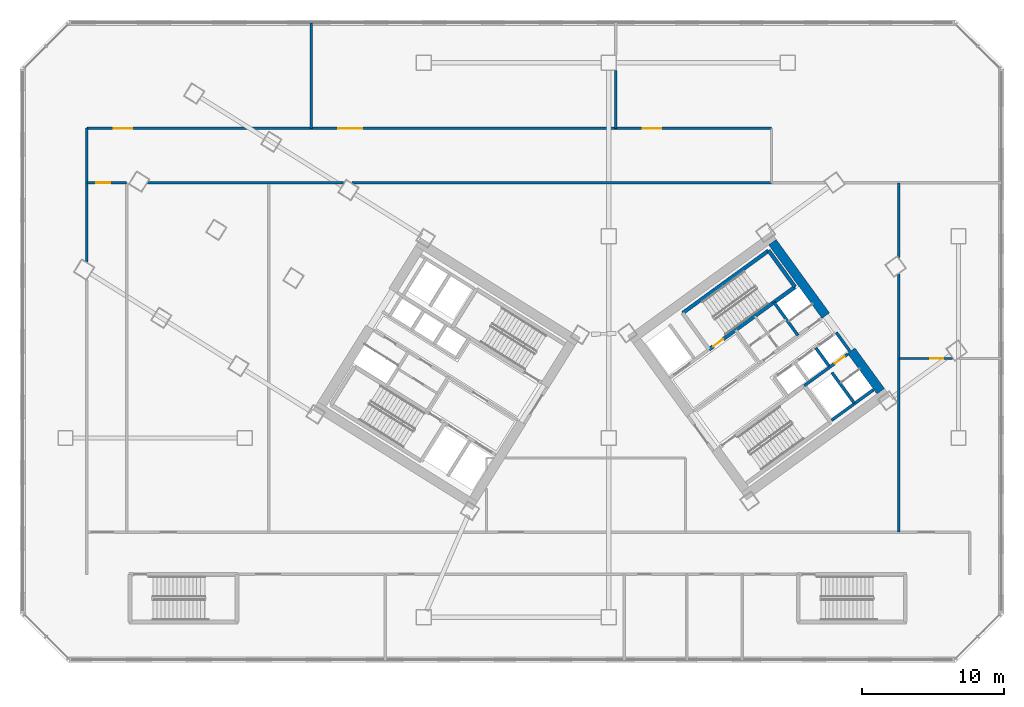
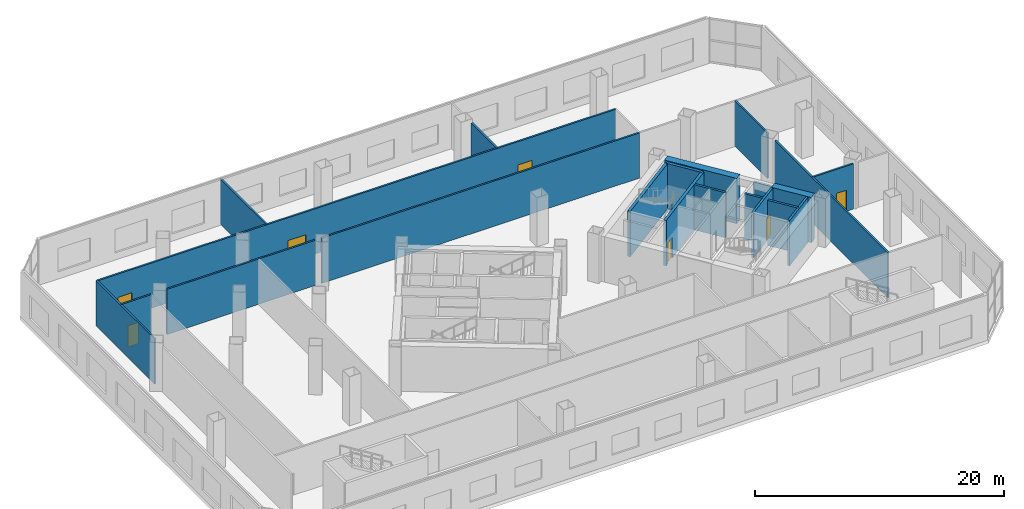
# One storey, part 13 of 22: 21 walls, 7 doors, 7 openings.
"""IFC4 building model written with IfcOpenShell, lengths in metres."""

import ifcopenshell
import ifcopenshell.guid

model = None  # the IFC model being written
_history = None  # IfcOwnerHistory: only IFC2X3 demands one
_inside = {}  # id of a spatial element -> (the spatial element, [elements in it])
_under = {}  # id of a project, library or spatial element -> (it, [spatial elements below it])
_declared = {}  # id of a project -> (the project, [libraries it declares])
_typed = {}  # id of a type object -> (the type object, [elements of that type])
_made_of = {}  # id of a material, layer set ... -> (it, [elements and type objects made of it])


def new_model(schema):
    """Start an empty IFC model of exactly this schema.

    Asked for "IFC4X3", IfcOpenShell would pick the latest addendum, in which some entities
    have other attributes; the version numbers below select the first issue.
    IFC2X3 requires an IfcOwnerHistory on every rooted entity: one is made here for all.
    """
    global model, _history
    if schema == "IFC4X3":
        model = ifcopenshell.file(schema_version=(4, 3, 0, 0))
    else:
        model = ifcopenshell.file(schema=schema)
    _inside.clear()
    _under.clear()
    _declared.clear()
    _typed.clear()
    _made_of.clear()
    _history = None
    if model.schema == "IFC2X3":
        org = make("IfcOrganization", Name="unknown")
        user = make(
            "IfcPersonAndOrganization",
            ThePerson=make("IfcPerson", FamilyName="unknown"),
            TheOrganization=org,
        )
        app = make(
            "IfcApplication",
            ApplicationDeveloper=org,
            Version="unknown",
            ApplicationFullName="unknown",
            ApplicationIdentifier="unknown",
        )
        _history = make(
            "IfcOwnerHistory",
            OwningUser=user,
            OwningApplication=app,
            ChangeAction="ADDED",
            CreationDate=0,
        )
    return model


def make(cls, **values):
    """One entity of the class cls with the attributes given. An attribute that is None is left unset."""
    return model.create_entity(
        cls, **{name: value for name, value in values.items() if value is not None}
    )


def rooted(cls, **values):
    """An entity with a GlobalId (a new one), such as an element, a storey or a relation."""
    return make(cls, GlobalId=ifcopenshell.guid.new(), OwnerHistory=_history, **values)


def si_unit(unit_type, name, prefix=None):
    """IfcSIUnit, for example si_unit("LENGTHUNIT", "METRE", prefix="MILLI")."""
    return make("IfcSIUnit", UnitType=unit_type, Prefix=prefix, Name=name)


def assignment(units):
    """IfcUnitAssignment: the units of a project."""
    return None if units is None else make("IfcUnitAssignment", Units=units)


def point(xyz):
    """IfcCartesianPoint."""
    return None if xyz is None else make("IfcCartesianPoint", Coordinates=xyz)


def direction(xyz):
    """IfcDirection."""
    return None if xyz is None else make("IfcDirection", DirectionRatios=xyz)


def frame(location, z_axis=None, x_axis=None):
    """IfcAxis2Placement3D, a coordinate frame: its origin and axes. An axis left out is left unset."""
    return make(
        "IfcAxis2Placement3D",
        Location=point(location),
        Axis=direction(z_axis),
        RefDirection=direction(x_axis),
    )


def frame_2d(location, x_axis=None):
    """IfcAxis2Placement2D, a coordinate frame in the plane: its origin and x axis."""
    return make(
        "IfcAxis2Placement2D", Location=point(location), RefDirection=direction(x_axis)
    )


def origin():
    """The frame at (0, 0, 0) with its axes left unset."""
    return frame((0.0, 0.0, 0.0))


def place(relative_to, where):
    """IfcLocalPlacement: puts the frame where relative to a parent placement (None: the world)."""
    return make(
        "IfcLocalPlacement", PlacementRelTo=relative_to, RelativePlacement=where
    )


def context(
    kind, dimensions, precision=None, world=None, true_north=None, identifier=None
):
    """IfcGeometricRepresentationContext, for example the 3D "Model" context."""
    return make(
        "IfcGeometricRepresentationContext",
        ContextIdentifier=identifier,
        ContextType=kind,
        CoordinateSpaceDimension=dimensions,
        Precision=precision,
        WorldCoordinateSystem=world,
        TrueNorth=true_north,
    )


def subcontext(parent, identifier, kind, view, scale=None):
    """IfcGeometricRepresentationSubContext, for example "Body" below "Model"."""
    return make(
        "IfcGeometricRepresentationSubContext",
        ContextIdentifier=identifier,
        ContextType=kind,
        ParentContext=parent,
        TargetScale=scale,
        TargetView=view,
    )


def project(units=None, contexts=None):
    """IfcProject with its units and contexts."""
    return rooted(
        "IfcProject",
        Name="project",
        RepresentationContexts=contexts,
        UnitsInContext=assignment(units),
    )


def spatial(cls, under=None, at=None, **own):
    """A site, building, storey or space (cls), placed at a placement, below another one or the project."""
    s = rooted(cls, ObjectPlacement=at, **own)
    if under is not None:
        _under.setdefault(under.id(), (under, []))[1].append(s)
    return s


def profile(cls, at=None, kind="AREA", **sizes):
    """A parametric profile (cls). Its sizes go by their IFC names, for example OverallWidth=200.0."""
    return make(cls, ProfileType=kind, Position=at, **sizes)


def rectangle(**sizes):
    """IfcRectangleProfileDef."""
    return profile("IfcRectangleProfileDef", **sizes)


def extrude(swept, where, along, depth):
    """IfcExtrudedAreaSolid: the profile swept, set in the frame where, extruded along a direction by depth."""
    return make(
        "IfcExtrudedAreaSolid",
        SweptArea=swept,
        Position=where,
        ExtrudedDirection=direction(along),
        Depth=depth,
    )


def shape(context_of_items, identifier, shape_type, items):
    """IfcShapeRepresentation: the items that make up one representation, for example the "Body"."""
    return make(
        "IfcShapeRepresentation",
        ContextOfItems=context_of_items,
        RepresentationIdentifier=identifier,
        RepresentationType=shape_type,
        Items=items,
    )


def source(mapping_origin, context_of_items, identifier, shape_type, items):
    """IfcRepresentationMap: a shape defined once, which mapped items show again and again."""
    return make(
        "IfcRepresentationMap",
        MappingOrigin=mapping_origin,
        MappedRepresentation=shape(context_of_items, identifier, shape_type, items),
    )


def transform(
    local_origin,
    x_axis=None,
    y_axis=None,
    z_axis=None,
    scale=None,
    scale2=None,
    scale3=None,
    uniform=True,
):
    """IfcCartesianTransformationOperator3D, or its non-uniform kind. x_axis, y_axis, z_axis: its Axis1, 2, 3."""
    if uniform:
        return make(
            "IfcCartesianTransformationOperator3D",
            Axis1=direction(x_axis),
            Axis2=direction(y_axis),
            LocalOrigin=point(local_origin),
            Scale=scale,
            Axis3=direction(z_axis),
        )
    return make(
        "IfcCartesianTransformationOperator3DnonUniform",
        Axis1=direction(x_axis),
        Axis2=direction(y_axis),
        LocalOrigin=point(local_origin),
        Scale=scale,
        Axis3=direction(z_axis),
        Scale2=scale2,
        Scale3=scale3,
    )


def mapped(mapping_source, mapping_target):
    """IfcMappedItem: shows the shape of a source again, moved by a transform."""
    return make(
        "IfcMappedItem", MappingSource=mapping_source, MappingTarget=mapping_target
    )


def material(Name=None, Category=None):
    """IfcMaterial."""
    return make("IfcMaterial", Name=Name, Category=Category)


def layer(
    of_material, thickness, ventilated=None, Name=None, Category=None, Priority=None
):
    """IfcMaterialLayer: one layer of a wall or slab, of a material (None: an air gap)."""
    return make(
        "IfcMaterialLayer",
        Material=of_material,
        LayerThickness=thickness,
        IsVentilated=ventilated,
        Name=Name,
        Category=Category,
        Priority=Priority,
    )


def layer_set(layers, Name=None):
    """IfcMaterialLayerSet."""
    return make("IfcMaterialLayerSet", MaterialLayers=layers, LayerSetName=Name)


def made_of(thing, what):
    """Note that an element or type object is made of a material, layer set ...; save() writes the relation."""
    if what is not None:
        _made_of.setdefault(what.id(), (what, []))[1].append(thing)
    return thing


def type_object(cls, material=None, **own):
    """A type object (cls), such as IfcWallType, which elements share."""
    return made_of(rooted(cls, **own), material)


def element(
    cls,
    number,
    at=None,
    inside=None,
    cuts=None,
    type_object=None,
    material=None,
    context=None,
    identifier="Body",
    shape_type=None,
    held_by="IfcProductDefinitionShape",
    body=None,
    shapes=None,
    **own,
):
    """One element of the class cls, such as IfcWall. Its Tag is "e" and its number.

    at: its placement. inside: the storey or other place that contains it. cuts: it is an
    opening in that element (IfcRelVoidsElement). A single representation is given by context,
    identifier, shape_type and body (its items); several are given by shapes. held_by: the class
    of the entity that holds the representations. save() writes the other relations.
    """
    e = rooted(cls, Tag="e%d" % number, ObjectPlacement=at, **own)
    if body is not None:
        shapes = [shape(context, identifier, shape_type, body)]
    if shapes is not None:
        e.Representation = make(held_by, Representations=shapes)
    if inside is not None:
        _inside.setdefault(inside.id(), (inside, []))[1].append(e)
    if cuts is not None:
        rooted(
            "IfcRelVoidsElement", RelatingBuildingElement=cuts, RelatedOpeningElement=e
        )
    if type_object is not None:
        _typed.setdefault(type_object.id(), (type_object, []))[1].append(e)
    return made_of(e, material)


def fill(opening, filler):
    """IfcRelFillsElement: the door or window that sits in an opening."""
    return rooted(
        "IfcRelFillsElement",
        RelatingOpeningElement=opening,
        RelatedBuildingElement=filler,
    )


def aggregate(whole, parts):
    """IfcRelAggregates: a whole, such as a stair, and the parts it consists of."""
    return rooted("IfcRelAggregates", RelatingObject=whole, RelatedObjects=parts)


def save(model, path):
    """Write the relations noted so far, then the file.

    IfcRelAggregates (storeys below a building ...), IfcRelContainedInSpatialStructure (elements
    in a storey), IfcRelDefinesByType, IfcRelAssociatesMaterial and IfcRelDeclares: one each for
    every whole, place, type object, material and project.
    """
    for whole, parts in _under.values():
        aggregate(whole, parts)
    for where, things in _inside.values():
        rooted(
            "IfcRelContainedInSpatialStructure",
            RelatedElements=things,
            RelatingStructure=where,
        )
    for kind, things in _typed.values():
        rooted("IfcRelDefinesByType", RelatedObjects=things, RelatingType=kind)
    for what, things in _made_of.values():
        rooted("IfcRelAssociatesMaterial", RelatedObjects=things, RelatingMaterial=what)
    for by, libraries in _declared.values():
        rooted("IfcRelDeclares", RelatingContext=by, RelatedDefinitions=libraries)
    model.write(path)


model = new_model("IFC4")

# Units and contexts
model_context = context("Model", 3, precision=1e-05, world=origin(), true_north=direction((0.0, 1.0)))
body_context = subcontext(model_context, "Body", "Model", "MODEL_VIEW")
ifc_project = project(units=[si_unit("LENGTHUNIT", "METRE"), si_unit("AREAUNIT", "SQUARE_METRE"), si_unit("VOLUMEUNIT", "CUBIC_METRE"), si_unit("PLANEANGLEUNIT", "RADIAN"), si_unit("MASSUNIT", "GRAM", prefix="KILO")], contexts=[model_context])

# Site, building, storey
site_placement = place(None, origin())
site = spatial("IfcSite", under=ifc_project, at=site_placement, CompositionType="ELEMENT")
building_placement = place(site_placement, origin())
building = spatial("IfcBuilding", under=site, at=building_placement, Name="Tlacorven Tower", CompositionType="ELEMENT")
storey_placement = place(building_placement, frame((0.0, 0.0, 5.39990234375)))
storey = spatial("IfcBuildingStorey", under=building, at=storey_placement, Name="L01", CompositionType="ELEMENT", Elevation=5.39990234375)

# Walls
ifc_material_1 = material(Name="Concrete C60/75", Category="concrete")
ifc_layer_1 = layer(ifc_material_1, 0.64990234375)
ifc_layer_set_1 = layer_set([ifc_layer_1], Name="Concrete C60/75")
wall_type_1 = type_object("IfcWallType", Name="WL-COR-650", PredefinedType="SHEAR", material=ifc_layer_set_1)
wall_1_placement = place(storey_placement, frame((61.9287109375, 20.494384765625, 0.0), z_axis=(0.0, 0.0, 1.0), x_axis=(-0.58782982593, 0.808984607855, 0.0)))
element("IfcWall", 1, at=wall_1_placement, inside=storey, type_object=wall_type_1, Name="L01 E core end wall E2.1", PredefinedType="SHEAR", context=body_context, shape_type="SweptSolid", body=[
    extrude(rectangle(XDim=3.52490234375, YDim=0.64990234375, at=frame_2d((1.762451171875, 0.0))), origin(), (0.0, 0.0, 1.0), 4.4501953125),
])
wall_2_placement = place(storey_placement, frame((58.06396484375, 25.8134765625, 0.0), z_axis=(0.0, 0.0, 1.0), x_axis=(-0.58777996584, 0.809020835181, 0.0)))
element("IfcWall", 2, at=wall_2_placement, inside=storey, type_object=wall_type_1, Name="L01 E core end wall E2.2", PredefinedType="SHEAR", context=body_context, shape_type="SweptSolid", body=[
    extrude(rectangle(XDim=6.375, YDim=0.64990234375, at=frame_2d((3.1875, 0.0))), origin(), (0.0, 0.0, 1.0), 4.4501953125),
])
ifc_material_2 = material(Name="Gypsum plasterboard acoustic partition", Category="gypsum")
ifc_layer_2 = layer(ifc_material_2, 0.159912109375)
ifc_layer_set_2 = layer_set([ifc_layer_2], Name="Gypsum plasterboard acoustic partition")
wall_type_2 = type_object("IfcWallType", Name="WL-DEM-160", PredefinedType="PARTITIONING", material=ifc_layer_set_2)
wall_3_placement = place(storey_placement, frame((6.10009765625, 29.57568359375, 0.0), z_axis=(0.0, 0.0, 1.0), x_axis=(0.0, 1.0, 0.0)))
element("IfcWall", 3, at=wall_3_placement, inside=storey, type_object=wall_type_2, Name="L01 partition 74", PredefinedType="PARTITIONING", context=body_context, shape_type="SweptSolid", body=[
    extrude(rectangle(XDim=9.42431640625, YDim=0.159912109375, at=frame_2d((4.712158203125, 0.0))), origin(), (0.0, 0.0, 1.0), 4.440185546875),
])
wall_4_placement = place(storey_placement, frame((10.374755859375, 35.14990234375, 0.0), z_axis=(0.0, 0.0, 1.0), x_axis=(1.0, 0.0, 0.0)))
element("IfcWall", 4, at=wall_4_placement, inside=storey, type_object=wall_type_2, Name="L01 partition 76", PredefinedType="PARTITIONING", context=body_context, shape_type="SweptSolid", body=[
    extrude(rectangle(XDim=13.791748046875, YDim=0.159912109375, at=frame_2d((6.89599609375, 0.0))), origin(), (0.0, 0.0, 1.0), 4.440185546875),
])
wall_5_placement = place(storey_placement, frame((24.73046875, 35.14990234375, 0.0), z_axis=(0.0, 0.0, 1.0), x_axis=(1.0, 0.0, 0.0)))
element("IfcWall", 5, at=wall_5_placement, inside=storey, type_object=wall_type_2, Name="L01 partition 76", PredefinedType="PARTITIONING", context=body_context, shape_type="SweptSolid", body=[
    extrude(rectangle(XDim=29.51953125, YDim=0.159912109375, at=frame_2d((14.759765625, 0.0))), origin(), (0.0, 0.0, 1.0), 4.440185546875),
])

# Wall, openings, doors
wall_6_placement = place(storey_placement, frame((6.10009765625, 38.97998046875, 0.0), z_axis=(0.0, 0.0, 1.0), x_axis=(1.0, 0.0, 0.0)))
wall_6 = element("IfcWall", 6, at=wall_6_placement, inside=storey, type_object=wall_type_2, Name="L01 partition 77", PredefinedType="PARTITIONING", context=body_context, shape_type="SweptSolid", body=[
    extrude(rectangle(XDim=48.14990234375, YDim=0.159912109375, at=frame_2d((24.074951171875, 0.0))), origin(), (0.0, 0.0, 1.0), 4.440185546875),
])
opening_1_placement = place(wall_6_placement, frame((1.89990234375, 0.0, 0.0)))
opening_1 = element("IfcOpeningElement", 7, at=opening_1_placement, cuts=wall_6, Name="Opening D18", PredefinedType="OPENING", context=body_context, shape_type="SweptSolid", body=[
    extrude(rectangle(XDim=1.300048828125, YDim=2.14990234375, at=frame_2d((0.64990234375, 1.074951171875))), frame((0.0, 0.08984375, 0.0), z_axis=(0.0, -1.0, 0.0), x_axis=(1.0, 0.0, 0.0)), (0.0, 0.0, 1.0), 0.179931640625),
])
opening_2_placement = place(wall_6_placement, frame((17.679931640625, 0.0, 0.0)))
opening_2 = element("IfcOpeningElement", 8, at=opening_2_placement, cuts=wall_6, Name="Opening D17", PredefinedType="OPENING", context=body_context, shape_type="SweptSolid", body=[
    extrude(rectangle(XDim=1.699951171875, YDim=2.199951171875, at=frame_2d((0.85009765625, 1.10009765625))), frame((0.0, 0.08984375, 0.0), z_axis=(0.0, -1.0, 0.0), x_axis=(1.0, 0.0, 0.0)), (0.0, 0.0, 1.0), 0.179931640625),
])
opening_3_placement = place(wall_6_placement, frame((39.080078125, 0.0, 0.0)))
opening_3 = element("IfcOpeningElement", 9, at=opening_3_placement, cuts=wall_6, Name="Opening D18", PredefinedType="OPENING", context=body_context, shape_type="SweptSolid", body=[
    extrude(rectangle(XDim=1.300048828125, YDim=2.14990234375, at=frame_2d((0.64990234375, 1.074951171875))), frame((0.0, 0.08984375, 0.0), z_axis=(0.0, -1.0, 0.0), x_axis=(1.0, 0.0, 0.0)), (0.0, 0.0, 1.0), 0.179931640625),
])
ifc_material_3 = material(Name="Fire-rated steel door assembly", Category="steel")
door_type_1 = type_object("IfcDoorType", Name="DR-MEP-FD60-1300", OperationType="DOUBLE_DOOR_SINGLE_SWING", PredefinedType="DOOR", material=ifc_material_3)
shared_shape_1 = source(origin(), body_context, "Body", "SweptSolid", [
    extrude(rectangle(XDim=1.300048828125, YDim=2.14990234375, at=frame_2d((0.64990234375, 1.074951171875))), frame((0.0, 0.02490234375, 0.0), z_axis=(0.0, -1.0, 0.0), x_axis=(1.0, 0.0, 0.0)), (0.0, 0.0, 1.0), 0.050048828125),
])
door_1_placement = place(opening_1_placement, origin())
door_1 = element("IfcDoor", 10, at=door_1_placement, inside=storey, type_object=door_type_1, Name="L01 door 034", OperationType="DOUBLE_DOOR_SINGLE_SWING", OverallHeight=2.14990234375, OverallWidth=1.300048828125, PredefinedType="DOOR", context=body_context, shape_type="MappedRepresentation", body=[
    mapped(shared_shape_1, transform((0.0, 0.0, 0.0), scale=1.0)),
])
fill(opening_1, door_1)
door_2_placement = place(opening_3_placement, origin())
door_2 = element("IfcDoor", 11, at=door_2_placement, inside=storey, type_object=door_type_1, Name="L01 door 036", OperationType="DOUBLE_DOOR_SINGLE_SWING", OverallHeight=2.14990234375, OverallWidth=1.300048828125, PredefinedType="DOOR", context=body_context, shape_type="MappedRepresentation", body=[
    mapped(shared_shape_1, transform((0.0, 0.0, 0.0), scale=1.0)),
])
fill(opening_3, door_2)
door_type_2 = type_object("IfcDoorType", Name="DR-COM-HALL-1700", OperationType="DOUBLE_DOOR_SINGLE_SWING", PredefinedType="DOOR", material=ifc_material_3)
shared_shape_2 = source(origin(), body_context, "Body", "SweptSolid", [
    extrude(rectangle(XDim=1.699951171875, YDim=2.199951171875, at=frame_2d((0.85009765625, 1.10009765625))), frame((0.0, 0.02490234375, 0.0), z_axis=(0.0, -1.0, 0.0), x_axis=(1.0, 0.0, 0.0)), (0.0, 0.0, 1.0), 0.050048828125),
])
door_3_placement = place(opening_2_placement, origin())
door_3 = element("IfcDoor", 12, at=door_3_placement, inside=storey, type_object=door_type_2, Name="L01 door 035", OperationType="DOUBLE_DOOR_SINGLE_SWING", OverallHeight=2.199951171875, OverallWidth=1.699951171875, PredefinedType="DOOR", context=body_context, shape_type="MappedRepresentation", body=[
    mapped(shared_shape_2, transform((0.0, 0.0, 0.0), scale=1.0)),
])
fill(opening_2, door_3)

# Wall, opening, door
wall_7_placement = place(storey_placement, frame((6.10009765625, 35.14990234375, 0.0), z_axis=(0.0, 0.0, 1.0), x_axis=(1.0, 0.0, 0.0)))
wall_7 = element("IfcWall", 13, at=wall_7_placement, inside=storey, type_object=wall_type_2, Name="L01 partition 79", PredefinedType="PARTITIONING", context=body_context, shape_type="SweptSolid", body=[
    extrude(rectangle(XDim=2.7998046875, YDim=0.159912109375, at=frame_2d((1.39990234375, 0.0))), origin(), (0.0, 0.0, 1.0), 4.440185546875),
])
opening_4_placement = place(wall_7_placement, frame((0.64990234375, 0.0, 0.0)))
opening_4 = element("IfcOpeningElement", 14, at=opening_4_placement, cuts=wall_7, Name="Opening D11", PredefinedType="OPENING", context=body_context, shape_type="SweptSolid", body=[
    extrude(rectangle(XDim=1.0, YDim=2.10009765625, at=frame_2d((0.5, 1.050048828125))), frame((0.0, 0.08984375, 0.0), z_axis=(0.0, -1.0, 0.0), x_axis=(1.0, 0.0, 0.0)), (0.0, 0.0, 1.0), 0.179931640625),
])
door_type_3 = type_object("IfcDoorType", Name="DR-FLT-FD60-1000", OperationType="NOTDEFINED", PredefinedType="DOOR", material=ifc_material_3)
shared_shape_3 = source(origin(), body_context, "Body", "SweptSolid", [
    extrude(rectangle(XDim=1.0, YDim=2.10009765625, at=frame_2d((0.5, 1.050048828125))), frame((0.0, 0.02490234375, 0.0), z_axis=(0.0, -1.0, 0.0), x_axis=(1.0, 0.0, 0.0)), (0.0, 0.0, 1.0), 0.050048828125),
])
door_4_placement = place(opening_4_placement, origin())
door_4 = element("IfcDoor", 15, at=door_4_placement, inside=storey, type_object=door_type_3, Name="L01 door 033", OperationType="SINGLE_SWING_RIGHT", OverallHeight=2.10009765625, OverallWidth=1.0, PredefinedType="DOOR", context=body_context, shape_type="MappedRepresentation", body=[
    mapped(shared_shape_3, transform((0.0, 0.0, 0.0), scale=1.0)),
])
fill(opening_4, door_4)

# Walls
wall_8_placement = place(storey_placement, frame((21.889892578125, 38.97998046875, 0.0), z_axis=(0.0, 0.0, 1.0), x_axis=(0.0, 1.0, 0.0)))
element("IfcWall", 16, at=wall_8_placement, inside=storey, type_object=wall_type_2, Name="L01 partition 80", PredefinedType="PARTITIONING", context=body_context, shape_type="SweptSolid", body=[
    extrude(rectangle(XDim=7.419921875, YDim=0.159912109375, at=frame_2d((3.7099609375, 0.0))), origin(), (0.0, 0.0, 1.0), 4.440185546875),
])
wall_9_placement = place(storey_placement, frame((43.2900390625, 38.97998046875, 0.0), z_axis=(0.0, 0.0, 1.0), x_axis=(0.0, 1.0, 0.0)))
element("IfcWall", 17, at=wall_9_placement, inside=storey, type_object=wall_type_2, Name="L01 partition 81", PredefinedType="PARTITIONING", context=body_context, shape_type="SweptSolid", body=[
    extrude(rectangle(XDim=4.068115234375, YDim=0.159912109375, at=frame_2d((2.0341796875, 0.0))), origin(), (0.0, 0.0, 1.0), 4.440185546875),
])
wall_10_placement = place(storey_placement, frame((63.199951171875, 10.580078125, 0.0), z_axis=(0.0, 0.0, 1.0), x_axis=(0.0, 1.0, 0.0)))
element("IfcWall", 18, at=wall_10_placement, inside=storey, type_object=wall_type_2, Name="L01 partition 83", PredefinedType="PARTITIONING", context=body_context, shape_type="SweptSolid", body=[
    extrude(rectangle(XDim=18.1591796875, YDim=0.159912109375, at=frame_2d((9.07958984375, 0.0))), origin(), (0.0, 0.0, 1.0), 4.440185546875),
])
wall_11_placement = place(storey_placement, frame((63.199951171875, 29.891357421875, 0.0), z_axis=(0.0, 0.0, 1.0), x_axis=(0.0, 1.0, 0.0)))
element("IfcWall", 19, at=wall_11_placement, inside=storey, type_object=wall_type_2, Name="L01 partition 83", PredefinedType="PARTITIONING", context=body_context, shape_type="SweptSolid", body=[
    extrude(rectangle(XDim=5.258544921875, YDim=0.159912109375, at=frame_2d((2.62939453125, 0.0))), origin(), (0.0, 0.0, 1.0), 4.440185546875),
])

# Wall, opening, door
wall_12_placement = place(storey_placement, frame((63.199951171875, 22.800048828125, 0.0), z_axis=(0.0, 0.0, 1.0), x_axis=(1.0, 0.0, 0.0)))
wall_12 = element("IfcWall", 20, at=wall_12_placement, inside=storey, type_object=wall_type_2, Name="L01 partition 86", PredefinedType="PARTITIONING", context=body_context, shape_type="SweptSolid", body=[
    extrude(rectangle(XDim=3.78759765625, YDim=0.159912109375, at=frame_2d((1.893798828125, 0.0))), origin(), (0.0, 0.0, 1.0), 4.440185546875),
])
opening_5_placement = place(wall_12_placement, frame((2.199951171875, 0.0, 0.0)))
opening_5 = element("IfcOpeningElement", 21, at=opening_5_placement, cuts=wall_12, Name="Opening D12", PredefinedType="OPENING", context=body_context, shape_type="SweptSolid", body=[
    extrude(rectangle(XDim=0.919921875, YDim=2.080078125, at=frame_2d((0.4599609375, 1.0400390625))), frame((0.0, 0.08984375, 0.0), z_axis=(0.0, -1.0, 0.0), x_axis=(1.0, 0.0, 0.0)), (0.0, 0.0, 1.0), 0.179931640625),
])
ifc_material_4 = material(Name="Powder-coated aluminium and timber door", Category="wood")
door_type_4 = type_object("IfcDoorType", Name="DR-INT-ROOM-0920", OperationType="NOTDEFINED", PredefinedType="DOOR", material=ifc_material_4)
shared_shape_4 = source(origin(), body_context, "Body", "SweptSolid", [
    extrude(rectangle(XDim=0.919921875, YDim=2.080078125, at=frame_2d((0.4599609375, 1.0400390625))), frame((0.0, 0.02490234375, 0.0), z_axis=(0.0, -1.0, 0.0), x_axis=(1.0, 0.0, 0.0)), (0.0, 0.0, 1.0), 0.050048828125),
])
door_5_placement = place(opening_5_placement, origin())
door_5 = element("IfcDoor", 22, at=door_5_placement, inside=storey, type_object=door_type_4, Name="L01 door 039", OperationType="SINGLE_SWING_LEFT", OverallHeight=2.080078125, OverallWidth=0.919921875, PredefinedType="DOOR", context=body_context, shape_type="MappedRepresentation", body=[
    mapped(shared_shape_4, transform((0.0, 0.0, 0.0), scale=1.0)),
])
fill(opening_5, door_5)

ifc_material_5 = material(Name="Concrete C40/50", Category="concrete")
ifc_layer_3 = layer(ifc_material_5, 0.199951171875)
ifc_layer_set_3 = layer_set([ifc_layer_3], Name="Concrete C40/50")
wall_type_3 = type_object("IfcWallType", Name="WL-SHF-200", PredefinedType="STANDARD", material=ifc_layer_set_3)
wall_13_placement = place(storey_placement, frame((56.552978515625, 20.884033203125, 0.0), z_axis=(0.0, 0.0, 1.0), x_axis=(0.809035789462, 0.587759382205, 0.0)))
wall_13 = element("IfcWall", 23, at=wall_13_placement, inside=storey, type_object=wall_type_3, Name="L01 Core E South Lift Shaft Wall", PredefinedType="STANDARD", context=body_context, shape_type="SweptSolid", body=[
    extrude(rectangle(XDim=3.767822265625, YDim=0.199951171875, at=frame_2d((1.8837890625, 0.0))), origin(), (0.0, 0.0, 1.0), 4.440185546875),
])
opening_6_placement = place(wall_13_placement, frame((2.64990234375, 0.0, 0.0)))
opening_6 = element("IfcOpeningElement", 24, at=opening_6_placement, cuts=wall_13, Name="Opening D19", PredefinedType="OPENING", context=body_context, shape_type="SweptSolid", body=[
    extrude(rectangle(XDim=0.860107421875, YDim=2.050048828125, at=frame_2d((0.43017578125, 1.02490234375))), frame((0.0, 0.10986328125, 0.0), z_axis=(0.0, -1.0, 0.0), x_axis=(1.0, 0.0, 0.0)), (0.0, 0.0, 1.0), 0.219970703125),
])
door_type_5 = type_object("IfcDoorType", Name="DR-RSR-FD60-0860", OperationType="NOTDEFINED", PredefinedType="DOOR", material=ifc_material_3)
shared_shape_5 = source(origin(), body_context, "Body", "SweptSolid", [
    extrude(rectangle(XDim=0.860107421875, YDim=2.050048828125, at=frame_2d((0.43017578125, 1.02490234375))), frame((0.0, 0.02490234375, 0.0), z_axis=(0.0, -1.0, 0.0), x_axis=(1.0, 0.0, 0.0)), (0.0, 0.0, 1.0), 0.050048828125),
])
door_6_placement = place(opening_6_placement, origin())
door_6 = element("IfcDoor", 25, at=door_6_placement, inside=storey, type_object=door_type_5, Name="L01 Smoke Extract Riser Access Door", OperationType="SINGLE_SWING_RIGHT", OverallHeight=2.050048828125, OverallWidth=0.860107421875, PredefinedType="DOOR", context=body_context, shape_type="MappedRepresentation", body=[
    mapped(shared_shape_5, transform((0.0, 0.0, 0.0), scale=1.0)),
])
fill(opening_6, door_6)

# Walls
wall_14_placement = place(storey_placement, frame((58.290283203125, 22.269775390625, 0.0), z_axis=(0.0, 0.0, 1.0), x_axis=(-0.587840865826, 0.808976585857, 0.0)))
element("IfcWall", 26, at=wall_14_placement, inside=storey, type_object=wall_type_3, Name="L01 partition 41", PredefinedType="STANDARD", context=body_context, shape_type="SweptSolid", body=[
    extrude(rectangle(XDim=1.579833984375, YDim=0.199951171875, at=frame_2d((0.7900390625, 0.0))), origin(), (0.0, 0.0, 1.0), 4.440185546875),
])
wall_15_placement = place(storey_placement, frame((59.75830078125, 23.3115234375, 0.0), z_axis=(0.0, 0.0, 1.0), x_axis=(-0.587875962906, 0.808951081486, 0.0)))
element("IfcWall", 27, at=wall_15_placement, inside=storey, type_object=wall_type_3, Name="L01 partition 42", PredefinedType="STANDARD", context=body_context, shape_type="SweptSolid", body=[
    extrude(rectangle(XDim=1.6201171875, YDim=0.199951171875, at=frame_2d((0.81005859375, 0.0))), origin(), (0.0, 0.0, 1.0), 4.440185546875),
])
wall_16_placement = place(storey_placement, frame((60.066650390625, 19.654541015625, 0.0), z_axis=(0.0, 0.0, 1.0), x_axis=(-0.587800520745, 0.809005900975, 0.0)))
element("IfcWall", 28, at=wall_16_placement, inside=storey, type_object=wall_type_3, Name="L01 partition 43", PredefinedType="STANDARD", context=body_context, shape_type="SweptSolid", body=[
    extrude(rectangle(XDim=2.659912109375, YDim=0.199951171875, at=frame_2d((1.330078125, 0.0))), origin(), (0.0, 0.0, 1.0), 4.440185546875),
])
wall_17_placement = place(storey_placement, frame((58.47216796875, 18.446533203125, 0.0), z_axis=(0.0, 0.0, 1.0), x_axis=(0.809022487728, 0.587777691266, 0.0)))
element("IfcWall", 29, at=wall_17_placement, inside=storey, type_object=wall_type_3, Name="L01 partition 45", PredefinedType="STANDARD", context=body_context, shape_type="SweptSolid", body=[
    extrude(rectangle(XDim=3.648193359375, YDim=0.199951171875, at=frame_2d((1.82421875, 0.0))), origin(), (0.0, 0.0, 1.0), 4.440185546875),
])
wall_18_placement = place(storey_placement, frame((56.110595703125, 24.4189453125, 0.0), z_axis=(0.0, 0.0, 1.0), x_axis=(-0.58777848983, 0.809021907548, 0.0)))
element("IfcWall", 30, at=wall_18_placement, inside=storey, type_object=wall_type_3, Name="L01 partition 48", PredefinedType="STANDARD", context=body_context, shape_type="SweptSolid", body=[
    extrude(rectangle(XDim=2.880126953125, YDim=0.199951171875, at=frame_2d((1.43994140625, 0.0))), origin(), (0.0, 0.0, 1.0), 4.440185546875),
])
ifc_material_6 = material(Name="Concrete C50/60", Category="concrete")
ifc_layer_4 = layer(ifc_material_6, 0.260009765625)
ifc_layer_set_4 = layer_set([ifc_layer_4], Name="Concrete C50/60")
wall_type_4 = type_object("IfcWallType", Name="WL-STW-260", PredefinedType="SHEAR", material=ifc_layer_set_4)
wall_19_placement = place(storey_placement, frame((48.005615234375, 25.996337890625, 0.0), z_axis=(0.0, 0.0, 1.0), x_axis=(0.80901903764, 0.587782439969, 0.0)))
element("IfcWall", 31, at=wall_19_placement, inside=storey, type_object=wall_type_4, Name="L01 Stair E1 Far Shear Wall", PredefinedType="SHEAR", context=body_context, shape_type="SweptSolid", body=[
    extrude(rectangle(XDim=7.4599609375, YDim=0.260009765625, at=frame_2d((3.72998046875, 0.0))), origin(), (0.0, 0.0, 1.0), 4.4501953125),
])

# Wall, opening, door
wall_20_placement = place(storey_placement, frame((49.863037109375, 23.439697265625, 0.0), z_axis=(0.0, 0.0, 1.0), x_axis=(0.809003474932, 0.587803859759, 0.0)))
wall_20 = element("IfcWall", 32, at=wall_20_placement, inside=storey, type_object=wall_type_4, Name="L01 Stair E1 Lobby Shear Wall", PredefinedType="SHEAR", context=body_context, shape_type="SweptSolid", body=[
    extrude(rectangle(XDim=7.4599609375, YDim=0.260009765625, at=frame_2d((3.72998046875, 0.0))), origin(), (0.0, 0.0, 1.0), 4.4501953125),
])
opening_7_placement = place(wall_20_placement, frame((0.360107421875, 0.0, 0.0)))
opening_7 = element("IfcOpeningElement", 33, at=opening_7_placement, cuts=wall_20, Name="Opening D19", PredefinedType="OPENING", context=body_context, shape_type="SweptSolid", body=[
    extrude(rectangle(XDim=0.860107421875, YDim=2.050048828125, at=frame_2d((0.43017578125, 1.02490234375))), frame((0.0, 0.14013671875, 0.0), z_axis=(0.0, -1.0, 0.0), x_axis=(1.0, 0.0, 0.0)), (0.0, 0.0, 1.0), 0.280029296875),
])
door_7_placement = place(opening_7_placement, frame((0.860107421875, 0.0, 0.0), z_axis=(0.0, 0.0, 1.0), x_axis=(-1.0, 0.0, 0.0)))
door_7 = element("IfcDoor", 34, at=door_7_placement, inside=storey, type_object=door_type_5, Name="L01 Exit Stair E1 Fire Door", OperationType="SINGLE_SWING_LEFT", OverallHeight=2.050048828125, OverallWidth=0.860107421875, PredefinedType="DOOR", context=body_context, shape_type="MappedRepresentation", body=[
    mapped(shared_shape_5, transform((0.0, 0.0, 0.0), scale=1.0)),
])
fill(opening_7, door_7)

# Wall
wall_21_placement = place(storey_placement, frame((55.906494140625, 27.83056640625, 0.0), z_axis=(0.0, 0.0, 1.0), x_axis=(-0.587804123638, 0.809003283204, 0.0)))
element("IfcWall", 35, at=wall_21_placement, inside=storey, type_object=wall_type_4, Name="L01 Stair E1 East Shear Wall", PredefinedType="SHEAR", context=body_context, shape_type="SweptSolid", body=[
    extrude(rectangle(XDim=3.159912109375, YDim=0.260009765625, at=frame_2d((1.580078125, 0.0))), origin(), (0.0, 0.0, 1.0), 4.4501953125),
])

save(model, "model.ifc")
